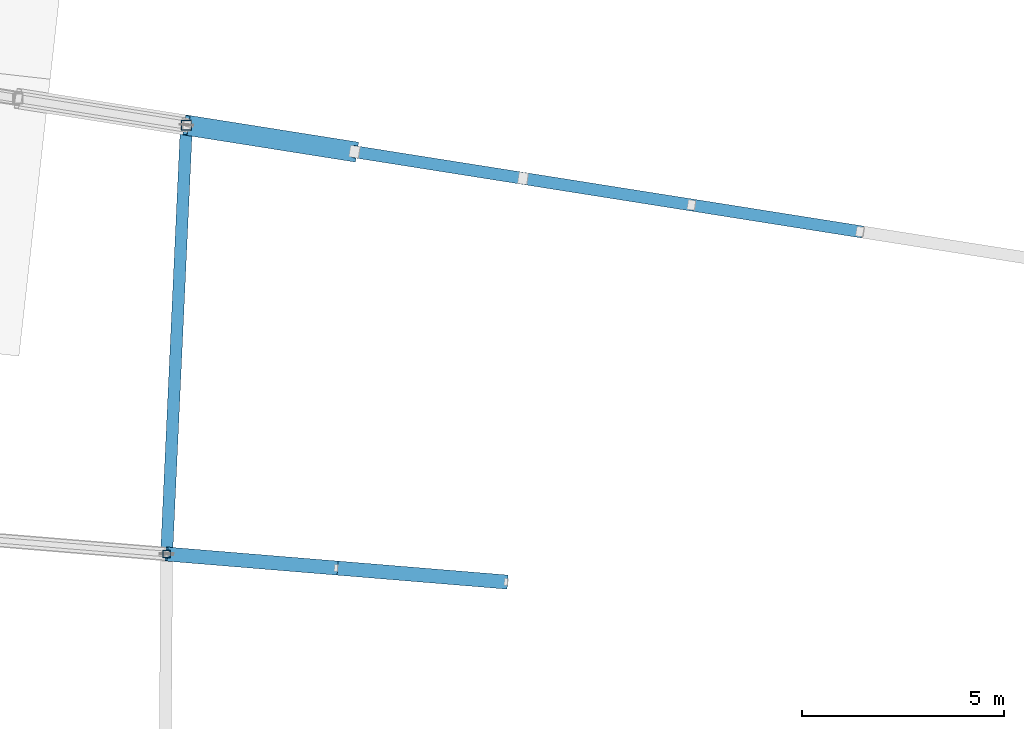
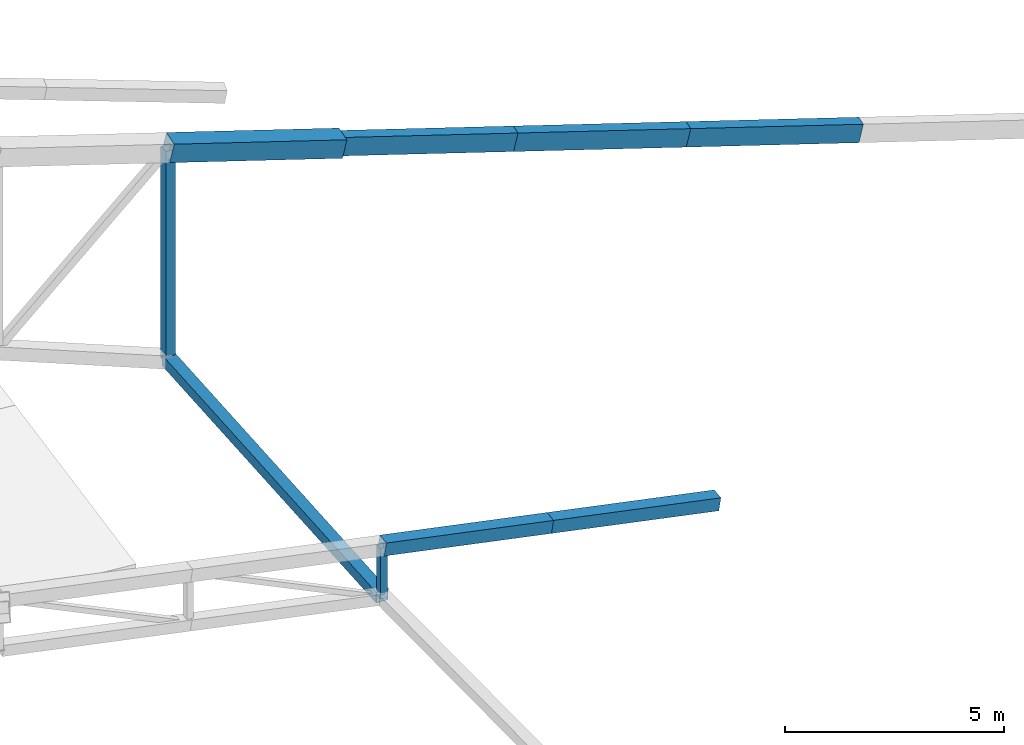
# One storey, part 64 of 188: 9 members.
"""IFC4 building model written with IfcOpenShell, lengths in metres."""

from ifc_helpers import new_model, si_unit, direction, frame, origin, origin_2d, place, context, subcontext, project, spatial, hollow_rectangle, extrude, material, material_profile, profile_set, type_object, element, save


model = new_model("IFC4")

# Units and contexts
model_context = context("Model", 3, precision=1e-05, world=origin(), true_north=direction((0.0, 1.0)))
body_context = subcontext(model_context, "Body", "Model", "MODEL_VIEW")
ifc_project = project(units=[si_unit("LENGTHUNIT", "METRE"), si_unit("AREAUNIT", "SQUARE_METRE"), si_unit("VOLUMEUNIT", "CUBIC_METRE"), si_unit("PLANEANGLEUNIT", "RADIAN"), si_unit("MASSUNIT", "GRAM", prefix="KILO")], contexts=[model_context])

# Site, building, storey
site_placement = place(None, origin())
site = spatial("IfcSite", under=ifc_project, at=site_placement, CompositionType="ELEMENT")
building_placement = place(site_placement, origin())
building = spatial("IfcBuilding", under=site, at=building_placement, Name="Meseta Stadium", CompositionType="ELEMENT")
storey_placement = place(building_placement, frame((0.0, 0.0, 30.0)))
storey = spatial("IfcBuildingStorey", under=building, at=storey_placement, Name="ROOF", CompositionType="ELEMENT", Elevation=30.0)

# Members
ifc_material_1 = material(Name="Steel S355", Category="steel")
ifc_material_profile_1 = material_profile(ifc_material_1, hollow_rectangle(XDim=0.300048828125, YDim=0.5, WallThickness=0.01611328125, at=origin_2d()), Name="RHS 500x300x16")
ifc_profile_set_1 = profile_set([ifc_material_profile_1], Name="Steel S355")
member_type_1 = type_object("IfcMemberType", Name="RHS 500x300x16 top chord", PredefinedType="CHORD", material=ifc_profile_set_1)
for number, where, z_axis, x_axis, name in (
    (1, (-67.681640625, 50.928955078125, 2.93310546875), (-0.96425359107, 0.152410999642, 0.216762310602), (-0.15612291387, -0.987737635086, 0.0), "ROOF TRUSS RT-28 top chord"),
    (2, (-71.85205078125, 51.588134765625, 3.87060546875), (-0.964241791228, 0.152409134546, 0.216816105849), (-0.15612291387, -0.987737635086, 0.0), "ROOF TRUSS RT-28 top chord"),
    (3, (-76.0224609375, 52.247314453125, 4.808349609375), (-0.964261885476, 0.152355861661, 0.216764175168), (-0.156066499211, -0.987746550398, 0.0), "ROOF TRUSS RT-28 top chord"),
):
    element("IfcMember", number, at=place(storey_placement, frame(where, z_axis=z_axis, x_axis=x_axis)), inside=storey, type_object=member_type_1, Name=name, PredefinedType="CHORD", context=body_context, shape_type="SweptSolid", body=[
        extrude(hollow_rectangle(XDim=0.300048828125, YDim=0.5, WallThickness=0.01611328125, at=origin_2d()), origin(), (0.0, 0.0, 1.0), 4.324951171875),
    ])
ifc_material_2 = material(Name="Steel S355", Category="steel")
ifc_material_profile_2 = material_profile(ifc_material_2, hollow_rectangle(XDim=0.179931640625, YDim=0.179931640625, WallThickness=0.00634765625, at=origin_2d()), Name="SHS 180x180x6.3")
ifc_profile_set_2 = profile_set([ifc_material_profile_2], Name="Steel S355")
member_type_2 = type_object("IfcMemberType", Name="SHS 180x180x6.3 post", PredefinedType="POST", material=ifc_profile_set_2)
member_1_placement = place(storey_placement, frame((-84.85400390625, 42.948486328125, 0.800048828125), z_axis=(0.0, 0.0, 1.0), x_axis=(1.0, 0.0, 0.0)))
element("IfcMember", 4, at=member_1_placement, inside=storey, type_object=member_type_2, Name="ROOF TRUSS RT-29 post", PredefinedType="POST", context=body_context, shape_type="SweptSolid", body=[
    extrude(hollow_rectangle(XDim=0.179931640625, YDim=0.179931640625, WallThickness=0.00634765625, at=origin_2d()), origin(), (0.0, 0.0, 1.0), 1.40576171875),
])
ifc_material_3 = material(Name="Steel S355", Category="steel")
ifc_material_profile_3 = material_profile(ifc_material_3, hollow_rectangle(XDim=0.25, YDim=0.25, WallThickness=0.010009765625, at=origin_2d()), Name="SHS 250x250x10")
ifc_profile_set_3 = profile_set([ifc_material_profile_3], Name="Steel S355")
member_type_3 = type_object("IfcMemberType", Name="SHS 250x250x10 post", PredefinedType="POST", material=ifc_profile_set_3)
member_2_placement = place(storey_placement, frame((-84.36328125, 53.5654296875, 0.800048828125), z_axis=(0.0, 0.0, 1.0), x_axis=(1.0, 0.0, 0.0)))
element("IfcMember", 5, at=member_2_placement, inside=storey, type_object=member_type_3, Name="ROOF TRUSS RT-28 post", PredefinedType="POST", context=body_context, shape_type="SweptSolid", body=[
    extrude(hollow_rectangle(XDim=0.25, YDim=0.25, WallThickness=0.010009765625, at=origin_2d()), origin(), (0.0, 0.0, 1.0), 5.88330078125),
])
ifc_material_4 = material(Name="Steel S355", Category="steel")
ifc_material_profile_4 = material_profile(ifc_material_4, hollow_rectangle(XDim=0.300048828125, YDim=0.300048828125, WallThickness=0.010009765625, at=origin_2d()), Name="SHS 300x300x10")
ifc_profile_set_4 = profile_set([ifc_material_profile_4], Name="Steel S355")
member_type_4 = type_object("IfcMemberType", Name="SHS 300x300x10 pivot strut", PredefinedType="STRUT", material=ifc_profile_set_4)
member_3_placement = place(storey_placement, frame((-84.36328125, 53.5654296875, 0.800048828125), z_axis=(-0.046171416705, -0.998933531462, 0.0), x_axis=(0.998933531462, -0.046171416705, 0.0)))
element("IfcMember", 6, at=member_3_placement, inside=storey, type_object=member_type_4, Name="ROOF PIVOT STRUT RT-28/29", PredefinedType="STRUT", context=body_context, shape_type="SweptSolid", body=[
    extrude(hollow_rectangle(XDim=0.300048828125, YDim=0.300048828125, WallThickness=0.010009765625, at=origin_2d()), origin(), (0.0, 0.0, 1.0), 10.628173828125),
])
ifc_material_5 = material(Name="Steel S355", Category="steel")
ifc_material_profile_5 = material_profile(ifc_material_5, hollow_rectangle(XDim=0.35009765625, YDim=0.35009765625, WallThickness=0.010009765625, at=origin_2d()), Name="SHS 350x350x10")
ifc_profile_set_5 = profile_set([ifc_material_profile_5], Name="Steel S355")
member_type_5 = type_object("IfcMemberType", Name="SHS 350x350x10 top chord", PredefinedType="CHORD", material=ifc_profile_set_5)
for number, where, z_axis, x_axis, name in (
    (7, (-76.43798828125, 42.25634765625, 0.93896484375), (-0.98559930207, 0.081084927497, 0.148388848275), (-0.081992660671, -0.996632933229, 0.0), "ROOF TRUSS RT-29 top chord"),
    (8, (-80.64599609375, 42.6025390625, 1.572509765625), (-0.985612232044, 0.081028807891, 0.148333611622), (-0.081935226242, -0.996637656674, 0.0), "ROOF TRUSS RT-29 top chord"),
):
    element("IfcMember", number, at=place(storey_placement, frame(where, z_axis=z_axis, x_axis=x_axis)), inside=storey, type_object=member_type_5, Name=name, PredefinedType="CHORD", context=body_context, shape_type="SweptSolid", body=[
        extrude(hollow_rectangle(XDim=0.35009765625, YDim=0.35009765625, WallThickness=0.010009765625, at=origin_2d()), origin(), (0.0, 0.0, 1.0), 4.26953125),
    ])
ifc_material_6 = material(Name="Steel S355", Category="steel")
ifc_material_profile_6 = material_profile(ifc_material_6, hollow_rectangle(XDim=0.5, YDim=0.5, WallThickness=0.01611328125, at=origin_2d()), Name="SHS 500x500x16")
ifc_profile_set_6 = profile_set([ifc_material_profile_6], Name="Steel S355")
member_type_6 = type_object("IfcMemberType", Name="SHS 500x500x16 top chord", PredefinedType="CHORD", material=ifc_profile_set_6)
member_4_placement = place(storey_placement, frame((-80.19287109375, 52.90625, 5.745849609375), z_axis=(-0.96425359107, 0.152410999642, 0.216762310602), x_axis=(-0.15612291387, -0.987737635086, 0.0)))
element("IfcMember", 9, at=member_4_placement, inside=storey, type_object=member_type_6, Name="ROOF TRUSS RT-28 top chord", PredefinedType="CHORD", context=body_context, shape_type="SweptSolid", body=[
    extrude(hollow_rectangle(XDim=0.5, YDim=0.5, WallThickness=0.01611328125, at=origin_2d()), origin(), (0.0, 0.0, 1.0), 4.324951171875),
])

save(model, "model.ifc")
